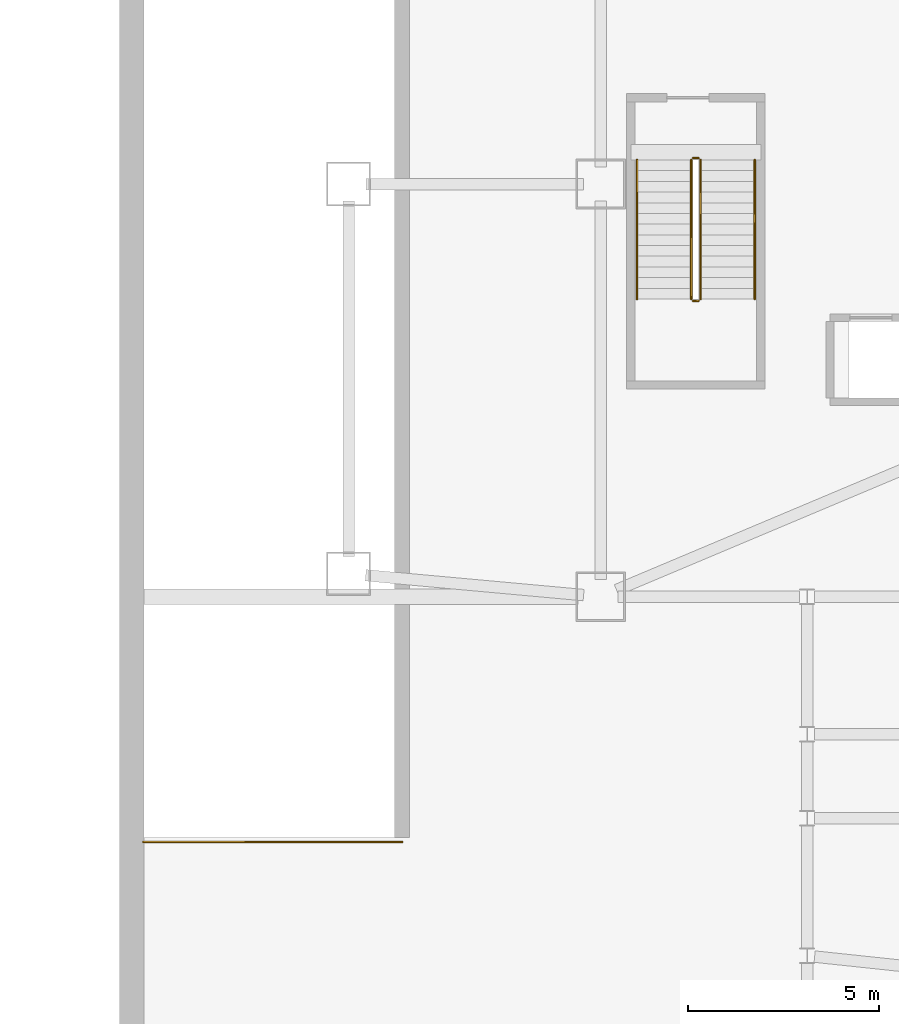
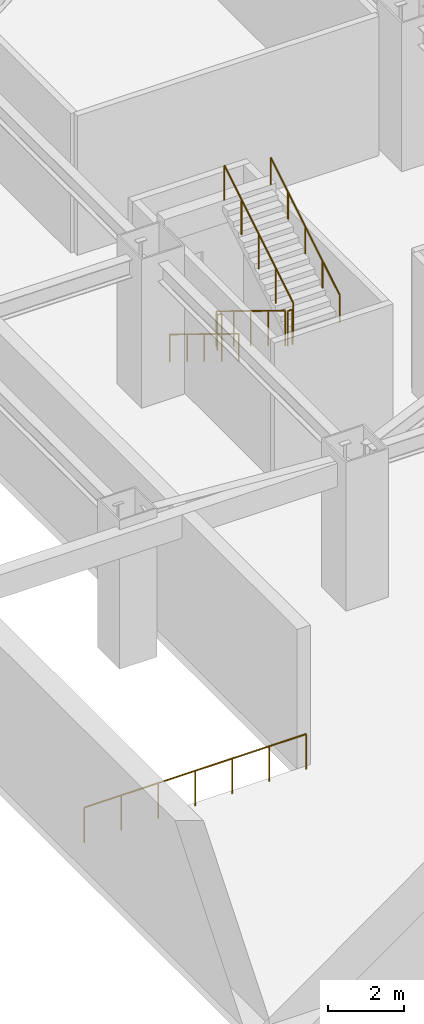
# One storey, part 12 of 15: 7 railings.
"""IFC4 building model written with IfcOpenShell, lengths in metres."""

from ifc_helpers import new_model, si_unit, direction, frame, origin, origin_2d, place, context, subcontext, project, spatial, circle, extrude, material, type_object, element, save


model = new_model("IFC4")

# Units and contexts
model_context = context("Model", 3, precision=1e-05, world=origin(), true_north=direction((0.0, 1.0)))
body_context = subcontext(model_context, "Body", "Model", "MODEL_VIEW")
ifc_project = project(units=[si_unit("LENGTHUNIT", "METRE"), si_unit("AREAUNIT", "SQUARE_METRE"), si_unit("VOLUMEUNIT", "CUBIC_METRE"), si_unit("PLANEANGLEUNIT", "RADIAN"), si_unit("MASSUNIT", "GRAM", prefix="KILO")], contexts=[model_context])

# Site, building, storey
site_placement = place(None, origin())
site = spatial("IfcSite", under=ifc_project, at=site_placement, CompositionType="ELEMENT")
building_placement = place(site_placement, origin())
building = spatial("IfcBuilding", under=site, at=building_placement, Name="Haolan Belvedere Tower", CompositionType="ELEMENT")
storey_placement = place(building_placement, frame((0.0, 0.0, -4.800048828125)))
storey = spatial("IfcBuildingStorey", under=building, at=storey_placement, Name="B1", CompositionType="ELEMENT", Elevation=-4.800048828125)

# Railings
ifc_material_1 = material(Name="Galvanised powder-coated steel guardrail", Category="steel")
railing_type_1 = type_object("IfcRailingType", Name="RL-REF-GRD-1150", PredefinedType="GUARDRAIL", material=ifc_material_1)
railing_1_placement = place(storey_placement, frame((0.6298828125, 10.3798828125, 0.0)))
element("IfcRailing", 1, at=railing_1_placement, inside=storey, type_object=railing_type_1, Name="B1 west vehicle ramp void south head guardrail", PredefinedType="GUARDRAIL", context=body_context, shape_type="SweptSolid", body=[
    extrude(circle(Radius=0.02392578125, at=origin_2d()), frame((0.0, 0.0, 1.1259765625), z_axis=(1.0, 0.0, 0.0), x_axis=(0.0, 1.0, 0.0)), (0.0, 0.0, 1.0), 6.77001953125),
    extrude(circle(Radius=0.02099609375, at=origin_2d()), origin(), (0.0, 0.0, 1.0), 1.101806640625),
    extrude(circle(Radius=0.02099609375, at=origin_2d()), frame((1.12841796875, 0.0, 0.0)), (0.0, 0.0, 1.0), 1.101806640625),
    extrude(circle(Radius=0.02099609375, at=origin_2d()), frame((2.256591796875, 0.0, 0.0)), (0.0, 0.0, 1.0), 1.101806640625),
    extrude(circle(Radius=0.02099609375, at=origin_2d()), frame((3.385009765625, 0.0, 0.0)), (0.0, 0.0, 1.0), 1.101806640625),
    extrude(circle(Radius=0.02099609375, at=origin_2d()), frame((4.513427734375, 0.0, 0.0)), (0.0, 0.0, 1.0), 1.101806640625),
    extrude(circle(Radius=0.02099609375, at=origin_2d()), frame((5.6416015625, 0.0, 0.0)), (0.0, 0.0, 1.0), 1.101806640625),
    extrude(circle(Radius=0.02099609375, at=origin_2d()), frame((6.77001953125, 0.0, 0.0)), (0.0, 0.0, 1.0), 1.101806640625),
])
ifc_material_2 = material(Name="Brushed stainless steel 304", Category="steel")
railing_type_2 = type_object("IfcRailingType", Name="RL-STAIR-GRD-1150", PredefinedType="GUARDRAIL", material=ifc_material_2)
railing_2_placement = place(storey_placement, frame((14.969970703125, 28.22998046875, 0.17138671875)))
element("IfcRailing", 2, at=railing_2_placement, inside=storey, type_object=railing_type_2, Name="B1 ST4 stair guard 1", PredefinedType="GUARDRAIL", context=body_context, shape_type="SweptSolid", body=[
    extrude(circle(Radius=0.02392578125, at=origin_2d()), frame((0.0, 0.0, 1.1259765625), z_axis=(0.0, -0.852824790078, 0.522197163366), x_axis=(1.0, 0.0, 0.0)), (0.0, 0.0, 1.0), 4.26806640625),
    extrude(circle(Radius=0.02099609375, at=origin_2d()), origin(), (0.0, 0.0, 1.0), 1.101806640625),
    extrude(circle(Radius=0.02099609375, at=origin_2d()), frame((0.0, -0.909912109375, 0.55712890625)), (0.0, 0.0, 1.0), 1.101806640625),
    extrude(circle(Radius=0.02099609375, at=origin_2d()), frame((0.0, -1.81982421875, 1.1142578125)), (0.0, 0.0, 1.0), 1.101806640625),
    extrude(circle(Radius=0.02099609375, at=origin_2d()), frame((0.0, -2.72998046875, 1.671630859375)), (0.0, 0.0, 1.0), 1.101806640625),
    extrude(circle(Radius=0.02099609375, at=origin_2d()), frame((0.0, -3.639892578125, 2.228759765625)), (0.0, 0.0, 1.0), 1.101806640625),
])
railing_3_placement = place(storey_placement, frame((15.02001953125, 24.5400390625, 2.400146484375)))
element("IfcRailing", 3, at=railing_3_placement, inside=storey, type_object=railing_type_2, Name="B1 ST4 stair guard 2", PredefinedType="GUARDRAIL", context=body_context, shape_type="SweptSolid", body=[
    extrude(circle(Radius=0.02392578125, at=origin_2d()), frame((0.0, 0.0, 1.1259765625), z_axis=(1.0, 0.0, 0.0), x_axis=(0.0, 1.0, 0.0)), (0.0, 0.0, 1.0), 0.139892578125),
    extrude(circle(Radius=0.02099609375, at=origin_2d()), origin(), (0.0, 0.0, 1.0), 1.101806640625),
    extrude(circle(Radius=0.02099609375, at=origin_2d()), frame((0.139892578125, 0.0, 0.0)), (0.0, 0.0, 1.0), 1.101806640625),
])
railing_4_placement = place(storey_placement, frame((15.2099609375, 24.590087890625, 2.571533203125)))
element("IfcRailing", 4, at=railing_4_placement, inside=storey, type_object=railing_type_2, Name="B1 ST4 stair guard 3", PredefinedType="GUARDRAIL", context=body_context, shape_type="SweptSolid", body=[
    extrude(circle(Radius=0.02392578125, at=origin_2d()), frame((0.0, 0.0, 1.1259765625), z_axis=(0.0, 0.852850264322, 0.5221555579), x_axis=(-1.0, 0.0, 0.0)), (0.0, 0.0, 1.0), 4.267822265625),
    extrude(circle(Radius=0.02099609375, at=origin_2d()), origin(), (0.0, 0.0, 1.0), 1.101806640625),
    extrude(circle(Radius=0.02099609375, at=origin_2d()), frame((0.0, 0.909912109375, 0.55712890625)), (0.0, 0.0, 1.0), 1.101806640625),
    extrude(circle(Radius=0.02099609375, at=origin_2d()), frame((0.0, 1.81982421875, 1.1142578125)), (0.0, 0.0, 1.0), 1.101806640625),
    extrude(circle(Radius=0.02099609375, at=origin_2d()), frame((0.0, 2.72998046875, 1.67138671875)), (0.0, 0.0, 1.0), 1.101806640625),
    extrude(circle(Radius=0.02099609375, at=origin_2d()), frame((0.0, 3.639892578125, 2.228515625)), (0.0, 0.0, 1.0), 1.101806640625),
])
railing_5_placement = place(storey_placement, frame((15.02001953125, 28.280029296875, 0.0)))
element("IfcRailing", 5, at=railing_5_placement, inside=storey, type_object=railing_type_2, Name="B1 ST4 stair guard 4", PredefinedType="GUARDRAIL", context=body_context, shape_type="SweptSolid", body=[
    extrude(circle(Radius=0.02392578125, at=origin_2d()), frame((0.0, 0.0, 1.1259765625), z_axis=(1.0, 0.0, 0.0), x_axis=(0.0, 1.0, 0.0)), (0.0, 0.0, 1.0), 0.139892578125),
    extrude(circle(Radius=0.02099609375, at=origin_2d()), origin(), (0.0, 0.0, 1.0), 1.101806640625),
    extrude(circle(Radius=0.02099609375, at=origin_2d()), frame((0.139892578125, 0.0, 0.0)), (0.0, 0.0, 1.0), 1.101806640625),
])
railing_type_3 = type_object("IfcRailingType", Name="RL-STAIR-HND-900", PredefinedType="HANDRAIL", material=ifc_material_2)
railing_6_placement = place(storey_placement, frame((13.550048828125, 28.22998046875, 0.17138671875)))
element("IfcRailing", 6, at=railing_6_placement, inside=storey, type_object=railing_type_3, Name="B1 ST4 stair handrail 1", PredefinedType="HANDRAIL", context=body_context, shape_type="SweptSolid", body=[
    extrude(circle(Radius=0.02392578125, at=origin_2d()), frame((0.0, 0.0, 0.8759765625), z_axis=(0.0, -0.852824790078, 0.522197163366), x_axis=(1.0, 0.0, 0.0)), (0.0, 0.0, 1.0), 4.26806640625),
    extrude(circle(Radius=0.02099609375, at=origin_2d()), origin(), (0.0, 0.0, 1.0), 0.851806640625),
    extrude(circle(Radius=0.02099609375, at=origin_2d()), frame((0.0, -0.909912109375, 0.55712890625)), (0.0, 0.0, 1.0), 0.851806640625),
    extrude(circle(Radius=0.02099609375, at=origin_2d()), frame((0.0, -1.81982421875, 1.1142578125)), (0.0, 0.0, 1.0), 0.851806640625),
    extrude(circle(Radius=0.02099609375, at=origin_2d()), frame((0.0, -2.72998046875, 1.671630859375)), (0.0, 0.0, 1.0), 0.851806640625),
    extrude(circle(Radius=0.02099609375, at=origin_2d()), frame((0.0, -3.639892578125, 2.228759765625)), (0.0, 0.0, 1.0), 0.851806640625),
])
railing_7_placement = place(storey_placement, frame((16.6298828125, 24.590087890625, 2.571533203125)))
element("IfcRailing", 7, at=railing_7_placement, inside=storey, type_object=railing_type_3, Name="B1 ST4 stair handrail 2", PredefinedType="HANDRAIL", context=body_context, shape_type="SweptSolid", body=[
    extrude(circle(Radius=0.02392578125, at=origin_2d()), frame((0.0, 0.0, 0.8759765625), z_axis=(0.0, 0.852850264322, 0.5221555579), x_axis=(-1.0, 0.0, 0.0)), (0.0, 0.0, 1.0), 4.267822265625),
    extrude(circle(Radius=0.02099609375, at=origin_2d()), origin(), (0.0, 0.0, 1.0), 0.851806640625),
    extrude(circle(Radius=0.02099609375, at=origin_2d()), frame((0.0, 0.909912109375, 0.55712890625)), (0.0, 0.0, 1.0), 0.851806640625),
    extrude(circle(Radius=0.02099609375, at=origin_2d()), frame((0.0, 1.81982421875, 1.1142578125)), (0.0, 0.0, 1.0), 0.851806640625),
    extrude(circle(Radius=0.02099609375, at=origin_2d()), frame((0.0, 2.72998046875, 1.67138671875)), (0.0, 0.0, 1.0), 0.851806640625),
    extrude(circle(Radius=0.02099609375, at=origin_2d()), frame((0.0, 3.639892578125, 2.228515625)), (0.0, 0.0, 1.0), 0.851806640625),
])

save(model, "model.ifc")
